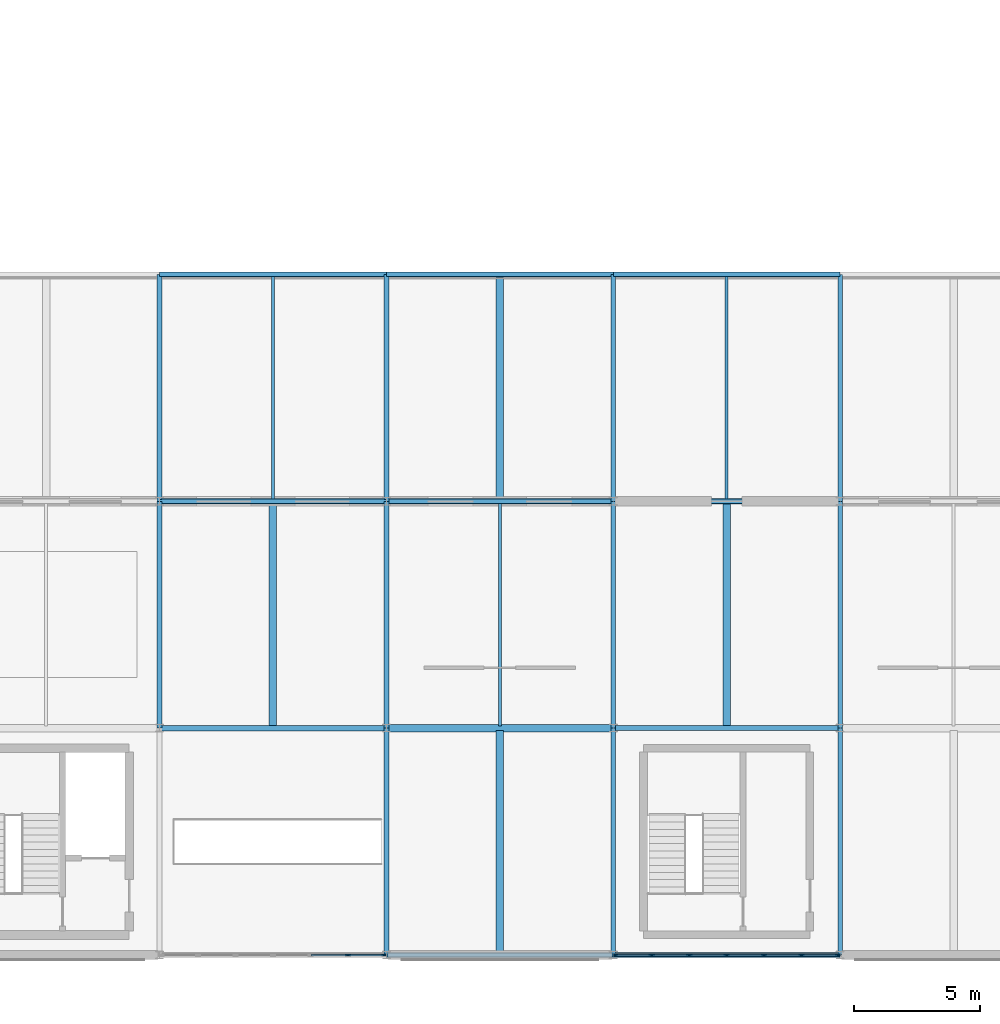
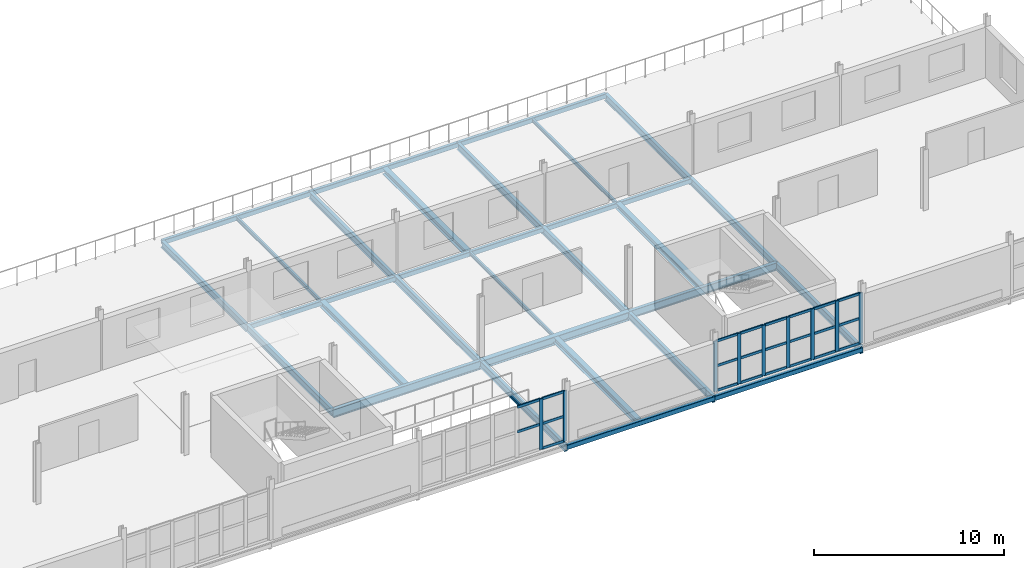
# One storey, part 29 of 123: 32 members, 29 beams, 2 elements without a shape of their own.
"""IFC4 building model written with IfcOpenShell, lengths in metres."""

from ifc_helpers import new_model, si_unit, direction, frame, origin, origin_2d, place, context, subcontext, project, spatial, rectangle, hollow_rectangle, i_section, extrude, material, material_profile, profile_set, type_object, element, aggregate, save


model = new_model("IFC4")

# Units and contexts
model_context = context("Model", 3, precision=1e-05, world=origin(), true_north=direction((0.0, 1.0)))
body_context = subcontext(model_context, "Body", "Model", "MODEL_VIEW")
ifc_project = project(units=[si_unit("LENGTHUNIT", "METRE"), si_unit("AREAUNIT", "SQUARE_METRE"), si_unit("VOLUMEUNIT", "CUBIC_METRE"), si_unit("PLANEANGLEUNIT", "RADIAN"), si_unit("MASSUNIT", "GRAM", prefix="KILO")], contexts=[model_context])

# Site, building, storey
site_placement = place(None, origin())
site = spatial("IfcSite", under=ifc_project, at=site_placement, CompositionType="ELEMENT")
building_placement = place(site_placement, origin())
building = spatial("IfcBuilding", under=site, at=building_placement, Name="Kildeholm Park Wholesale Market", CompositionType="ELEMENT")
storey_placement = place(building_placement, frame((0.0, 0.0, 9.60009765625)))
storey = spatial("IfcBuildingStorey", under=building, at=storey_placement, Name="L02", CompositionType="ELEMENT", Elevation=9.60009765625)

# Beams
ifc_material_1 = material(Name="Steel S355", Category="steel")
ifc_material_profile_1 = material_profile(ifc_material_1, i_section(OverallWidth=0.18994140625, OverallDepth=0.449951171875, WebThickness=0.009521484375, FlangeThickness=0.0146484375, FilletRadius=0.02099609375, at=origin_2d()), Name="IPE 450")
ifc_profile_set_1 = profile_set([ifc_material_profile_1], Name="Steel S355")
beam_type_1 = type_object("IfcBeamType", Name="Beam B-P02 IPE 450", PredefinedType="BEAM", material=ifc_profile_set_1)
for number, where, z_axis, x_axis, name in (
    (1, (36.0, 18.0, -0.51513671875), (0.0, 1.0, 0.0), (-1.0, 0.0, 0.0), "Beam BM-V5W-L02-Y-036-018 BM-1357"),
    (2, (45.0, 18.0, -0.51513671875), (0.0, 1.0, 0.0), (-1.0, 0.0, 0.0), "Beam BM-V5W-L02-Y-045-018 BM-1361"),
    (3, (54.0, 18.0, -0.51513671875), (0.0, 1.0, 0.0), (-1.0, 0.0, 0.0), "Beam BM-V5W-L02-Y-054-018 BM-1365"),
    (4, (63.0, 18.0, -0.51513671875), (0.0, 1.0, 0.0), (-1.0, 0.0, 0.0), "Beam BM-V5W-L02-Y-063-018 BM-1369"),
    (5, (36.0, 9.0, -0.465087890625), (0.0, 1.0, 0.0), (-1.0, 0.0, 0.0), "Beam BM-V5W-L02-Y-036-009 BM-1397"),
    (6, (45.0, 0.0, -0.465087890625), (0.0, 1.0, 0.0), (-1.0, 0.0, 0.0), "Beam BM-V5W-L02-Y-045-000 BM-1400"),
    (7, (45.0, 9.0, -0.465087890625), (0.0, 1.0, 0.0), (-1.0, 0.0, 0.0), "Beam BM-V5W-L02-Y-045-009 BM-1403"),
    (8, (54.0, 0.0, -0.465087890625), (0.0, 1.0, 0.0), (-1.0, 0.0, 0.0), "Beam BM-V5W-L02-Y-054-000 BM-1406"),
    (9, (54.0, 9.0, -0.465087890625), (0.0, 1.0, 0.0), (-1.0, 0.0, 0.0), "Beam BM-V5W-L02-Y-054-009 BM-1408"),
    (10, (63.0, 0.0, -0.465087890625), (0.0, 1.0, 0.0), (-1.0, 0.0, 0.0), "Beam BM-V5W-L02-Y-063-000 BM-1411"),
    (11, (63.0, 9.0, -0.465087890625), (0.0, 1.0, 0.0), (-1.0, 0.0, 0.0), "Beam BM-V5W-L02-Y-063-009 BM-1414"),
):
    element("IfcBeam", number, at=place(storey_placement, frame(where, z_axis=z_axis, x_axis=x_axis)), inside=storey, type_object=beam_type_1, Name=name, PredefinedType="BEAM", context=body_context, shape_type="SweptSolid", body=[
        extrude(i_section(OverallWidth=0.18994140625, OverallDepth=0.449951171875, WebThickness=0.009521484375, FlangeThickness=0.0146484375, FilletRadius=0.02099609375, at=origin_2d()), origin(), (0.0, 0.0, 1.0), 9.0),
    ])
ifc_material_profile_2 = material_profile(ifc_material_1, i_section(OverallWidth=0.199951171875, OverallDepth=0.5, WebThickness=0.01025390625, FlangeThickness=0.01611328125, FilletRadius=0.02099609375, at=origin_2d()), Name="IPE 500")
ifc_profile_set_2 = profile_set([ifc_material_profile_2], Name="Steel S355")
beam_type_2 = type_object("IfcBeamType", Name="Beam B-P03 IPE 500", PredefinedType="BEAM", material=ifc_profile_set_2)
beam_1_placement = place(storey_placement, frame((54.0, 9.0, -0.489990234375), z_axis=(1.0, 0.0, 0.0), x_axis=(0.0, 1.0, 0.0)))
element("IfcBeam", 12, at=beam_1_placement, inside=storey, type_object=beam_type_2, Name="Beam BM-V5W-L02-X-054-009 BM-1407", PredefinedType="BEAM", context=body_context, shape_type="SweptSolid", body=[
    extrude(i_section(OverallWidth=0.199951171875, OverallDepth=0.5, WebThickness=0.01025390625, FlangeThickness=0.01611328125, FilletRadius=0.02099609375, at=origin_2d()), origin(), (0.0, 0.0, 1.0), 9.0),
])
ifc_material_profile_3 = material_profile(ifc_material_1, i_section(OverallWidth=0.2099609375, OverallDepth=0.550048828125, WebThickness=0.010986328125, FlangeThickness=0.01708984375, FilletRadius=0.02392578125, at=origin_2d()), Name="IPE 550")
ifc_profile_set_3 = profile_set([ifc_material_profile_3], Name="Steel S355")
beam_type_3 = type_object("IfcBeamType", Name="Beam B-X01 IPE 550", PredefinedType="BEAM", material=ifc_profile_set_3)
beam_2_placement = place(storey_placement, frame((36.0, 9.0, -0.51904296875), z_axis=(1.0, 0.0, 0.0), x_axis=(0.0, 1.0, 0.0)))
element("IfcBeam", 13, at=beam_2_placement, inside=storey, type_object=beam_type_3, Name="Beam BM-V5W-L02-X-036-009 BM-1396", PredefinedType="BEAM", context=body_context, shape_type="SweptSolid", body=[
    extrude(i_section(OverallWidth=0.2099609375, OverallDepth=0.550048828125, WebThickness=0.010986328125, FlangeThickness=0.01708984375, FilletRadius=0.02392578125, at=origin_2d()), origin(), (0.0, 0.0, 1.0), 9.0),
])
ifc_material_profile_4 = material_profile(ifc_material_1, i_section(OverallWidth=0.300048828125, OverallDepth=0.5400390625, WebThickness=0.012451171875, FlangeThickness=0.02392578125, FilletRadius=0.027099609375, at=origin_2d()), Name="HEA 550")
ifc_profile_set_4 = profile_set([ifc_material_profile_4], Name="Steel S355")
beam_type_4 = type_object("IfcBeamType", Name="Beam B-X02 HEA 550", PredefinedType="BEAM", material=ifc_profile_set_4)
beam_3_placement = place(storey_placement, frame((45.0, 9.0, -0.510009765625), z_axis=(1.0, 0.0, 0.0), x_axis=(0.0, 1.0, 0.0)))
element("IfcBeam", 14, at=beam_3_placement, inside=storey, type_object=beam_type_4, Name="Beam BM-V5W-L02-X-045-009 BM-1402", PredefinedType="BEAM", context=body_context, shape_type="SweptSolid", body=[
    extrude(i_section(OverallWidth=0.300048828125, OverallDepth=0.5400390625, WebThickness=0.012451171875, FlangeThickness=0.02392578125, FilletRadius=0.027099609375, at=origin_2d()), origin(), (0.0, 0.0, 1.0), 9.0),
])
ifc_material_profile_5 = material_profile(ifc_material_1, i_section(OverallWidth=0.1201171875, OverallDepth=0.239990234375, WebThickness=0.006103515625, FlangeThickness=0.009765625, FilletRadius=0.014892578125, at=origin_2d()), Name="IPE 240")
ifc_profile_set_5 = profile_set([ifc_material_profile_5], Name="Steel S355")
beam_type_5 = type_object("IfcBeamType", Name="Beam J-01 IPE 240", PredefinedType="JOIST", material=ifc_profile_set_5)
for number, where, z_axis, x_axis, name in (
    (15, (40.5, 18.0849609375, -0.41015625), (0.0, 1.0, 0.0), (-1.0, 0.0, 0.0), "Beam JT-V5W-L02-036-018 BM-1358"),
    (16, (58.5, 18.0849609375, -0.41015625), (0.0, 1.0, 0.0), (-1.0, 0.0, 0.0), "Beam JT-V5W-L02-054-018 BM-1366"),
    (17, (49.5, 9.0849609375, -0.360107421875), (0.0, 1.0, 0.0), (-1.0, 0.0, 0.0), "Beam JT-V5W-L02-045-009 BM-1404"),
):
    element("IfcBeam", number, at=place(storey_placement, frame(where, z_axis=z_axis, x_axis=x_axis)), inside=storey, type_object=beam_type_5, Name=name, PredefinedType="JOIST", context=body_context, shape_type="SweptSolid", body=[
        extrude(i_section(OverallWidth=0.1201171875, OverallDepth=0.239990234375, WebThickness=0.006103515625, FlangeThickness=0.009765625, FilletRadius=0.014892578125, at=origin_2d()), origin(), (0.0, 0.0, 1.0), 8.830078125),
    ])
ifc_material_profile_6 = material_profile(ifc_material_1, i_section(OverallWidth=0.300048828125, OverallDepth=0.389892578125, WebThickness=0.010986328125, FlangeThickness=0.01904296875, FilletRadius=0.027099609375, at=origin_2d()), Name="HEA 400")
ifc_profile_set_6 = profile_set([ifc_material_profile_6], Name="Steel S355")
beam_type_6 = type_object("IfcBeamType", Name="Beam J-06 HEA 400", PredefinedType="JOIST", material=ifc_profile_set_6)
for number, where, z_axis, x_axis, name in (
    (18, (49.5, 18.0849609375, -0.485107421875), (0.0, 1.0, 0.0), (-1.0, 0.0, 0.0), "Beam JT-V5W-L02-045-018 BM-1362"),
    (19, (40.5, 9.0849609375, -0.43505859375), (0.0, 1.0, 0.0), (-1.0, 0.0, 0.0), "Beam JT-V5W-L02-036-009 BM-1398"),
    (20, (49.5, 0.0849609375, -0.43505859375), (0.0, 1.0, 0.0), (-1.0, 0.0, 0.0), "Beam JT-V5W-L02-045-000 BM-1401"),
    (21, (58.5, 9.0849609375, -0.43505859375), (0.0, 1.0, 0.0), (-1.0, 0.0, 0.0), "Beam JT-V5W-L02-054-009 BM-1409"),
):
    element("IfcBeam", number, at=place(storey_placement, frame(where, z_axis=z_axis, x_axis=x_axis)), inside=storey, type_object=beam_type_6, Name=name, PredefinedType="JOIST", context=body_context, shape_type="SweptSolid", body=[
        extrude(i_section(OverallWidth=0.300048828125, OverallDepth=0.389892578125, WebThickness=0.010986328125, FlangeThickness=0.01904296875, FilletRadius=0.027099609375, at=origin_2d()), origin(), (0.0, 0.0, 1.0), 8.830078125),
    ])
ifc_material_profile_7 = material_profile(ifc_material_1, hollow_rectangle(XDim=0.199951171875, YDim=0.300048828125, WallThickness=0.012451171875, InnerFilletRadius=0.012451171875, OuterFilletRadius=0.02490234375, at=origin_2d()), Name="RHS 300x200x12.5")
ifc_profile_set_7 = profile_set([ifc_material_profile_7], Name="Steel S355")
beam_type_7 = type_object("IfcBeamType", Name="Beam SP-01 RHS 300x200x12.5", PredefinedType="SPANDREL", material=ifc_profile_set_7)
for number, where, z_axis, x_axis, name in (
    (22, (36.0, 18.0, -0.440185546875), (1.0, 0.0, 0.0), (0.0, 1.0, 0.0), "Beam BM-V5W-L02-X-036-018 BM-1356"),
    (23, (36.0, 27.0, -0.440185546875), (1.0, 0.0, 0.0), (0.0, 1.0, 0.0), "Beam BM-V5W-L02-X-036-027 BM-1359"),
    (24, (45.0, 18.0, -0.440185546875), (1.0, 0.0, 0.0), (0.0, 1.0, 0.0), "Beam BM-V5W-L02-X-045-018 BM-1360"),
    (25, (45.0, 27.0, -0.440185546875), (1.0, 0.0, 0.0), (0.0, 1.0, 0.0), "Beam BM-V5W-L02-X-045-027 BM-1363"),
    (26, (54.0, 18.0, -0.440185546875), (1.0, 0.0, 0.0), (0.0, 1.0, 0.0), "Beam BM-V5W-L02-X-054-018 BM-1364"),
    (27, (54.0, 27.0, -0.440185546875), (1.0, 0.0, 0.0), (0.0, 1.0, 0.0), "Beam BM-V5W-L02-X-054-027 BM-1367"),
    (28, (45.0, 0.0, -0.39404296875), (1.0, 0.0, 0.0), (0.0, 1.0, 0.0), "Beam BM-V5W-L02-X-045-000 BM-1399"),
    (29, (54.0, 0.0, -0.39404296875), (1.0, 0.0, 0.0), (0.0, 1.0, 0.0), "Beam BM-V5W-L02-X-054-000 BM-1405"),
):
    element("IfcBeam", number, at=place(storey_placement, frame(where, z_axis=z_axis, x_axis=x_axis)), inside=storey, type_object=beam_type_7, Name=name, PredefinedType="SPANDREL", context=body_context, shape_type="SweptSolid", body=[
        extrude(hollow_rectangle(XDim=0.199951171875, YDim=0.300048828125, WallThickness=0.012451171875, InnerFilletRadius=0.012451171875, OuterFilletRadius=0.02490234375, at=origin_2d()), origin(), (0.0, 0.0, 1.0), 9.0),
    ])

# Curtain wall, members
ifc_material_2 = material(Name="Anodised aluminium and low-E double-glazed glass", Category="aluminium")
curtain_wall_type = type_object("IfcCurtainWallType", Name="Park wing thermally broken curtain wall CW-03", PredefinedType="NOTDEFINED", material=ifc_material_2)
curtain_wall_1_placement = place(storey_placement, origin())
curtain_wall_1 = element("IfcCurtainWall", 30, at=curtain_wall_1_placement, inside=storey, type_object=curtain_wall_type, Name="Curtain wall CW-V5W-L02-S-04 CW-0148", PredefinedType="NOTDEFINED")
ifc_material_3 = material(Name="Anodised aluminium", Category="aluminium")
ifc_material_profile_8 = material_profile(ifc_material_3, rectangle(XDim=0.074951171875, YDim=0.219970703125, at=origin_2d()), Name="CWM 75x220")
ifc_profile_set_8 = profile_set([ifc_material_profile_8], Name="Anodised aluminium")
member_type_1 = type_object("IfcMemberType", Name="Curtain-wall mullion CWM-2 CWM 75x220", PredefinedType="MULLION", material=ifc_profile_set_8)
member_1_placement = place(storey_placement, frame((43.473388671875, 0.0, 0.0), z_axis=(0.0, 0.0, 1.0), x_axis=(0.0, 1.0, 0.0)))
member_1 = element("IfcMember", 31, at=member_1_placement, type_object=member_type_1, Name="CW-03 mullion 6 MEM-4570", PredefinedType="MULLION", context=body_context, shape_type="SweptSolid", body=[
    extrude(rectangle(XDim=0.074951171875, YDim=0.219970703125, at=origin_2d()), origin(), (0.0, 0.0, 1.0), 3.25),
])
member_2_placement = place(storey_placement, frame((44.922607421875, 0.0, 0.0), z_axis=(0.0, 0.0, 1.0), x_axis=(0.0, 1.0, 0.0)))
member_2 = element("IfcMember", 32, at=member_2_placement, type_object=member_type_1, Name="CW-03 mullion 7 MEM-4571", PredefinedType="MULLION", context=body_context, shape_type="SweptSolid", body=[
    extrude(rectangle(XDim=0.074951171875, YDim=0.219970703125, at=origin_2d()), origin(), (0.0, 0.0, 1.0), 3.25),
])

curtain_wall_2_placement = place(storey_placement, origin())
curtain_wall_2 = element("IfcCurtainWall", 33, at=curtain_wall_2_placement, inside=storey, type_object=curtain_wall_type, Name="Curtain wall CW-V5W-L02-S-06 CW-0149", PredefinedType="NOTDEFINED")
member_3_placement = place(storey_placement, frame((54.077392578125, 0.0, 0.0), z_axis=(0.0, 0.0, 1.0), x_axis=(0.0, 1.0, 0.0)))
member_3 = element("IfcMember", 34, at=member_3_placement, type_object=member_type_1, Name="CW-03 mullion 1 MEM-4590", PredefinedType="MULLION", context=body_context, shape_type="SweptSolid", body=[
    extrude(rectangle(XDim=0.074951171875, YDim=0.219970703125, at=origin_2d()), origin(), (0.0, 0.0, 1.0), 3.25),
])
member_4_placement = place(storey_placement, frame((55.526611328125, 0.0, 0.0), z_axis=(0.0, 0.0, 1.0), x_axis=(0.0, 1.0, 0.0)))
member_4 = element("IfcMember", 35, at=member_4_placement, type_object=member_type_1, Name="CW-03 mullion 2 MEM-4591", PredefinedType="MULLION", context=body_context, shape_type="SweptSolid", body=[
    extrude(rectangle(XDim=0.074951171875, YDim=0.219970703125, at=origin_2d()), origin(), (0.0, 0.0, 1.0), 3.25),
])
member_5_placement = place(storey_placement, frame((57.013427734375, 0.0, 0.0), z_axis=(0.0, 0.0, 1.0), x_axis=(0.0, 1.0, 0.0)))
member_5 = element("IfcMember", 36, at=member_5_placement, type_object=member_type_1, Name="CW-03 mullion 3 MEM-4592", PredefinedType="MULLION", context=body_context, shape_type="SweptSolid", body=[
    extrude(rectangle(XDim=0.074951171875, YDim=0.219970703125, at=origin_2d()), origin(), (0.0, 0.0, 1.0), 3.25),
])
member_6_placement = place(storey_placement, frame((58.5, 0.0, 0.0), z_axis=(0.0, 0.0, 1.0), x_axis=(0.0, 1.0, 0.0)))
member_6 = element("IfcMember", 37, at=member_6_placement, type_object=member_type_1, Name="CW-03 mullion 4 MEM-4593", PredefinedType="MULLION", context=body_context, shape_type="SweptSolid", body=[
    extrude(rectangle(XDim=0.074951171875, YDim=0.219970703125, at=origin_2d()), origin(), (0.0, 0.0, 1.0), 3.25),
])
member_7_placement = place(storey_placement, frame((59.986572265625, 0.0, 0.0), z_axis=(0.0, 0.0, 1.0), x_axis=(0.0, 1.0, 0.0)))
member_7 = element("IfcMember", 38, at=member_7_placement, type_object=member_type_1, Name="CW-03 mullion 5 MEM-4594", PredefinedType="MULLION", context=body_context, shape_type="SweptSolid", body=[
    extrude(rectangle(XDim=0.074951171875, YDim=0.219970703125, at=origin_2d()), origin(), (0.0, 0.0, 1.0), 3.25),
])
member_8_placement = place(storey_placement, frame((61.473388671875, 0.0, 0.0), z_axis=(0.0, 0.0, 1.0), x_axis=(0.0, 1.0, 0.0)))
member_8 = element("IfcMember", 39, at=member_8_placement, type_object=member_type_1, Name="CW-03 mullion 6 MEM-4595", PredefinedType="MULLION", context=body_context, shape_type="SweptSolid", body=[
    extrude(rectangle(XDim=0.074951171875, YDim=0.219970703125, at=origin_2d()), origin(), (0.0, 0.0, 1.0), 3.25),
])
member_9_placement = place(storey_placement, frame((62.922607421875, 0.0, 0.0), z_axis=(0.0, 0.0, 1.0), x_axis=(0.0, 1.0, 0.0)))
member_9 = element("IfcMember", 40, at=member_9_placement, type_object=member_type_1, Name="CW-03 mullion 7 MEM-4596", PredefinedType="MULLION", context=body_context, shape_type="SweptSolid", body=[
    extrude(rectangle(XDim=0.074951171875, YDim=0.219970703125, at=origin_2d()), origin(), (0.0, 0.0, 1.0), 3.25),
])

# Member
ifc_material_profile_9 = material_profile(ifc_material_3, rectangle(XDim=0.074951171875, YDim=0.159912109375, at=origin_2d()), Name="CWT 75x160")
ifc_profile_set_9 = profile_set([ifc_material_profile_9], Name="Anodised aluminium")
member_type_2 = type_object("IfcMemberType", Name="Curtain-wall transom CWT-2 CWT 75x160", PredefinedType="USERDEFINED", material=ifc_profile_set_9)
member_10_placement = place(storey_placement, frame((42.024169921875, 0.0, 1.625), z_axis=(1.0, 0.0, 0.0), x_axis=(0.0, 1.0, 0.0)))
member_10 = element("IfcMember", 41, at=member_10_placement, type_object=member_type_2, Name="CW-03 transom 5.2 MEM-4585", ObjectType="TRANSOM", PredefinedType="USERDEFINED", context=body_context, shape_type="SweptSolid", body=[
    extrude(rectangle(XDim=0.074951171875, YDim=0.159912109375, at=origin_2d()), origin(), (0.0, 0.0, 1.0), 1.41162109375),
])

member_11_placement = place(storey_placement, frame((42.024169921875, 0.0, 3.21240234375), z_axis=(1.0, 0.0, 0.0), x_axis=(0.0, 1.0, 0.0)))
member_11 = element("IfcMember", 42, at=member_11_placement, type_object=member_type_2, Name="CW-03 transom 5.3 MEM-4586", ObjectType="TRANSOM", PredefinedType="USERDEFINED", context=body_context, shape_type="SweptSolid", body=[
    extrude(rectangle(XDim=0.074951171875, YDim=0.159912109375, at=origin_2d()), origin(), (0.0, 0.0, 1.0), 1.41162109375),
])

member_12_placement = place(storey_placement, frame((43.5107421875, 0.0, 0.037353515625), z_axis=(1.0, 0.0, 0.0), x_axis=(0.0, 1.0, 0.0)))
member_12 = element("IfcMember", 43, at=member_12_placement, type_object=member_type_2, Name="CW-03 transom 6.1 MEM-4587", ObjectType="TRANSOM", PredefinedType="USERDEFINED", context=body_context, shape_type="SweptSolid", body=[
    extrude(rectangle(XDim=0.074951171875, YDim=0.159912109375, at=origin_2d()), origin(), (0.0, 0.0, 1.0), 1.374267578125),
])

member_13_placement = place(storey_placement, frame((43.5107421875, 0.0, 1.625), z_axis=(1.0, 0.0, 0.0), x_axis=(0.0, 1.0, 0.0)))
member_13 = element("IfcMember", 44, at=member_13_placement, type_object=member_type_2, Name="CW-03 transom 6.2 MEM-4588", ObjectType="TRANSOM", PredefinedType="USERDEFINED", context=body_context, shape_type="SweptSolid", body=[
    extrude(rectangle(XDim=0.074951171875, YDim=0.159912109375, at=origin_2d()), origin(), (0.0, 0.0, 1.0), 1.374267578125),
])

member_14_placement = place(storey_placement, frame((43.5107421875, 0.0, 3.21240234375), z_axis=(1.0, 0.0, 0.0), x_axis=(0.0, 1.0, 0.0)))
member_14 = element("IfcMember", 45, at=member_14_placement, type_object=member_type_2, Name="CW-03 transom 6.3 MEM-4589", ObjectType="TRANSOM", PredefinedType="USERDEFINED", context=body_context, shape_type="SweptSolid", body=[
    extrude(rectangle(XDim=0.074951171875, YDim=0.159912109375, at=origin_2d()), origin(), (0.0, 0.0, 1.0), 1.374267578125),
])

aggregate(curtain_wall_1, [member_1, member_2, member_10, member_11, member_12, member_13, member_14])

member_15_placement = place(storey_placement, frame((54.114990234375, 0.0, 0.037353515625), z_axis=(1.0, 0.0, 0.0), x_axis=(0.0, 1.0, 0.0)))
member_15 = element("IfcMember", 46, at=member_15_placement, type_object=member_type_2, Name="CW-03 transom 1.1 MEM-4597", ObjectType="TRANSOM", PredefinedType="USERDEFINED", context=body_context, shape_type="SweptSolid", body=[
    extrude(rectangle(XDim=0.074951171875, YDim=0.159912109375, at=origin_2d()), origin(), (0.0, 0.0, 1.0), 1.374267578125),
])

member_16_placement = place(storey_placement, frame((54.114990234375, 0.0, 1.625), z_axis=(1.0, 0.0, 0.0), x_axis=(0.0, 1.0, 0.0)))
member_16 = element("IfcMember", 47, at=member_16_placement, type_object=member_type_2, Name="CW-03 transom 1.2 MEM-4598", ObjectType="TRANSOM", PredefinedType="USERDEFINED", context=body_context, shape_type="SweptSolid", body=[
    extrude(rectangle(XDim=0.074951171875, YDim=0.159912109375, at=origin_2d()), origin(), (0.0, 0.0, 1.0), 1.374267578125),
])

member_17_placement = place(storey_placement, frame((54.114990234375, 0.0, 3.21240234375), z_axis=(1.0, 0.0, 0.0), x_axis=(0.0, 1.0, 0.0)))
member_17 = element("IfcMember", 48, at=member_17_placement, type_object=member_type_2, Name="CW-03 transom 1.3 MEM-4599", ObjectType="TRANSOM", PredefinedType="USERDEFINED", context=body_context, shape_type="SweptSolid", body=[
    extrude(rectangle(XDim=0.074951171875, YDim=0.159912109375, at=origin_2d()), origin(), (0.0, 0.0, 1.0), 1.374267578125),
])

member_18_placement = place(storey_placement, frame((55.564208984375, 0.0, 0.037353515625), z_axis=(1.0, 0.0, 0.0), x_axis=(0.0, 1.0, 0.0)))
member_18 = element("IfcMember", 49, at=member_18_placement, type_object=member_type_2, Name="CW-03 transom 2.1 MEM-4600", ObjectType="TRANSOM", PredefinedType="USERDEFINED", context=body_context, shape_type="SweptSolid", body=[
    extrude(rectangle(XDim=0.074951171875, YDim=0.159912109375, at=origin_2d()), origin(), (0.0, 0.0, 1.0), 1.41162109375),
])

member_19_placement = place(storey_placement, frame((55.564208984375, 0.0, 1.625), z_axis=(1.0, 0.0, 0.0), x_axis=(0.0, 1.0, 0.0)))
member_19 = element("IfcMember", 50, at=member_19_placement, type_object=member_type_2, Name="CW-03 transom 2.2 MEM-4601", ObjectType="TRANSOM", PredefinedType="USERDEFINED", context=body_context, shape_type="SweptSolid", body=[
    extrude(rectangle(XDim=0.074951171875, YDim=0.159912109375, at=origin_2d()), origin(), (0.0, 0.0, 1.0), 1.41162109375),
])

member_20_placement = place(storey_placement, frame((55.564208984375, 0.0, 3.21240234375), z_axis=(1.0, 0.0, 0.0), x_axis=(0.0, 1.0, 0.0)))
member_20 = element("IfcMember", 51, at=member_20_placement, type_object=member_type_2, Name="CW-03 transom 2.3 MEM-4602", ObjectType="TRANSOM", PredefinedType="USERDEFINED", context=body_context, shape_type="SweptSolid", body=[
    extrude(rectangle(XDim=0.074951171875, YDim=0.159912109375, at=origin_2d()), origin(), (0.0, 0.0, 1.0), 1.41162109375),
])

member_21_placement = place(storey_placement, frame((57.05078125, 0.0, 0.037353515625), z_axis=(1.0, 0.0, 0.0), x_axis=(0.0, 1.0, 0.0)))
member_21 = element("IfcMember", 52, at=member_21_placement, type_object=member_type_2, Name="CW-03 transom 3.1 MEM-4603", ObjectType="TRANSOM", PredefinedType="USERDEFINED", context=body_context, shape_type="SweptSolid", body=[
    extrude(rectangle(XDim=0.074951171875, YDim=0.159912109375, at=origin_2d()), origin(), (0.0, 0.0, 1.0), 1.41162109375),
])

member_22_placement = place(storey_placement, frame((57.05078125, 0.0, 1.625), z_axis=(1.0, 0.0, 0.0), x_axis=(0.0, 1.0, 0.0)))
member_22 = element("IfcMember", 53, at=member_22_placement, type_object=member_type_2, Name="CW-03 transom 3.2 MEM-4604", ObjectType="TRANSOM", PredefinedType="USERDEFINED", context=body_context, shape_type="SweptSolid", body=[
    extrude(rectangle(XDim=0.074951171875, YDim=0.159912109375, at=origin_2d()), origin(), (0.0, 0.0, 1.0), 1.41162109375),
])

member_23_placement = place(storey_placement, frame((57.05078125, 0.0, 3.21240234375), z_axis=(1.0, 0.0, 0.0), x_axis=(0.0, 1.0, 0.0)))
member_23 = element("IfcMember", 54, at=member_23_placement, type_object=member_type_2, Name="CW-03 transom 3.3 MEM-4605", ObjectType="TRANSOM", PredefinedType="USERDEFINED", context=body_context, shape_type="SweptSolid", body=[
    extrude(rectangle(XDim=0.074951171875, YDim=0.159912109375, at=origin_2d()), origin(), (0.0, 0.0, 1.0), 1.41162109375),
])

member_24_placement = place(storey_placement, frame((58.53759765625, 0.0, 0.037353515625), z_axis=(1.0, 0.0, 0.0), x_axis=(0.0, 1.0, 0.0)))
member_24 = element("IfcMember", 55, at=member_24_placement, type_object=member_type_2, Name="CW-03 transom 4.1 MEM-4606", ObjectType="TRANSOM", PredefinedType="USERDEFINED", context=body_context, shape_type="SweptSolid", body=[
    extrude(rectangle(XDim=0.074951171875, YDim=0.159912109375, at=origin_2d()), origin(), (0.0, 0.0, 1.0), 1.41162109375),
])

member_25_placement = place(storey_placement, frame((58.53759765625, 0.0, 1.625), z_axis=(1.0, 0.0, 0.0), x_axis=(0.0, 1.0, 0.0)))
member_25 = element("IfcMember", 56, at=member_25_placement, type_object=member_type_2, Name="CW-03 transom 4.2 MEM-4607", ObjectType="TRANSOM", PredefinedType="USERDEFINED", context=body_context, shape_type="SweptSolid", body=[
    extrude(rectangle(XDim=0.074951171875, YDim=0.159912109375, at=origin_2d()), origin(), (0.0, 0.0, 1.0), 1.41162109375),
])

member_26_placement = place(storey_placement, frame((58.53759765625, 0.0, 3.21240234375), z_axis=(1.0, 0.0, 0.0), x_axis=(0.0, 1.0, 0.0)))
member_26 = element("IfcMember", 57, at=member_26_placement, type_object=member_type_2, Name="CW-03 transom 4.3 MEM-4608", ObjectType="TRANSOM", PredefinedType="USERDEFINED", context=body_context, shape_type="SweptSolid", body=[
    extrude(rectangle(XDim=0.074951171875, YDim=0.159912109375, at=origin_2d()), origin(), (0.0, 0.0, 1.0), 1.41162109375),
])

member_27_placement = place(storey_placement, frame((60.024169921875, 0.0, 0.037353515625), z_axis=(1.0, 0.0, 0.0), x_axis=(0.0, 1.0, 0.0)))
member_27 = element("IfcMember", 58, at=member_27_placement, type_object=member_type_2, Name="CW-03 transom 5.1 MEM-4609", ObjectType="TRANSOM", PredefinedType="USERDEFINED", context=body_context, shape_type="SweptSolid", body=[
    extrude(rectangle(XDim=0.074951171875, YDim=0.159912109375, at=origin_2d()), origin(), (0.0, 0.0, 1.0), 1.41162109375),
])

member_28_placement = place(storey_placement, frame((60.024169921875, 0.0, 1.625), z_axis=(1.0, 0.0, 0.0), x_axis=(0.0, 1.0, 0.0)))
member_28 = element("IfcMember", 59, at=member_28_placement, type_object=member_type_2, Name="CW-03 transom 5.2 MEM-4610", ObjectType="TRANSOM", PredefinedType="USERDEFINED", context=body_context, shape_type="SweptSolid", body=[
    extrude(rectangle(XDim=0.074951171875, YDim=0.159912109375, at=origin_2d()), origin(), (0.0, 0.0, 1.0), 1.41162109375),
])

member_29_placement = place(storey_placement, frame((60.024169921875, 0.0, 3.21240234375), z_axis=(1.0, 0.0, 0.0), x_axis=(0.0, 1.0, 0.0)))
member_29 = element("IfcMember", 60, at=member_29_placement, type_object=member_type_2, Name="CW-03 transom 5.3 MEM-4611", ObjectType="TRANSOM", PredefinedType="USERDEFINED", context=body_context, shape_type="SweptSolid", body=[
    extrude(rectangle(XDim=0.074951171875, YDim=0.159912109375, at=origin_2d()), origin(), (0.0, 0.0, 1.0), 1.41162109375),
])

member_30_placement = place(storey_placement, frame((61.5107421875, 0.0, 0.037353515625), z_axis=(1.0, 0.0, 0.0), x_axis=(0.0, 1.0, 0.0)))
member_30 = element("IfcMember", 61, at=member_30_placement, type_object=member_type_2, Name="CW-03 transom 6.1 MEM-4612", ObjectType="TRANSOM", PredefinedType="USERDEFINED", context=body_context, shape_type="SweptSolid", body=[
    extrude(rectangle(XDim=0.074951171875, YDim=0.159912109375, at=origin_2d()), origin(), (0.0, 0.0, 1.0), 1.374267578125),
])

member_31_placement = place(storey_placement, frame((61.5107421875, 0.0, 1.625), z_axis=(1.0, 0.0, 0.0), x_axis=(0.0, 1.0, 0.0)))
member_31 = element("IfcMember", 62, at=member_31_placement, type_object=member_type_2, Name="CW-03 transom 6.2 MEM-4613", ObjectType="TRANSOM", PredefinedType="USERDEFINED", context=body_context, shape_type="SweptSolid", body=[
    extrude(rectangle(XDim=0.074951171875, YDim=0.159912109375, at=origin_2d()), origin(), (0.0, 0.0, 1.0), 1.374267578125),
])

member_32_placement = place(storey_placement, frame((61.5107421875, 0.0, 3.21240234375), z_axis=(1.0, 0.0, 0.0), x_axis=(0.0, 1.0, 0.0)))
member_32 = element("IfcMember", 63, at=member_32_placement, type_object=member_type_2, Name="CW-03 transom 6.3 MEM-4614", ObjectType="TRANSOM", PredefinedType="USERDEFINED", context=body_context, shape_type="SweptSolid", body=[
    extrude(rectangle(XDim=0.074951171875, YDim=0.159912109375, at=origin_2d()), origin(), (0.0, 0.0, 1.0), 1.374267578125),
])

aggregate(curtain_wall_2, [member_3, member_4, member_5, member_6, member_7, member_8, member_9, member_15, member_16, member_17, member_18, member_19, member_20, member_21, member_22, member_23, member_24, member_25, member_26, member_27, member_28, member_29, member_30, member_31, member_32])

save(model, "model.ifc")
